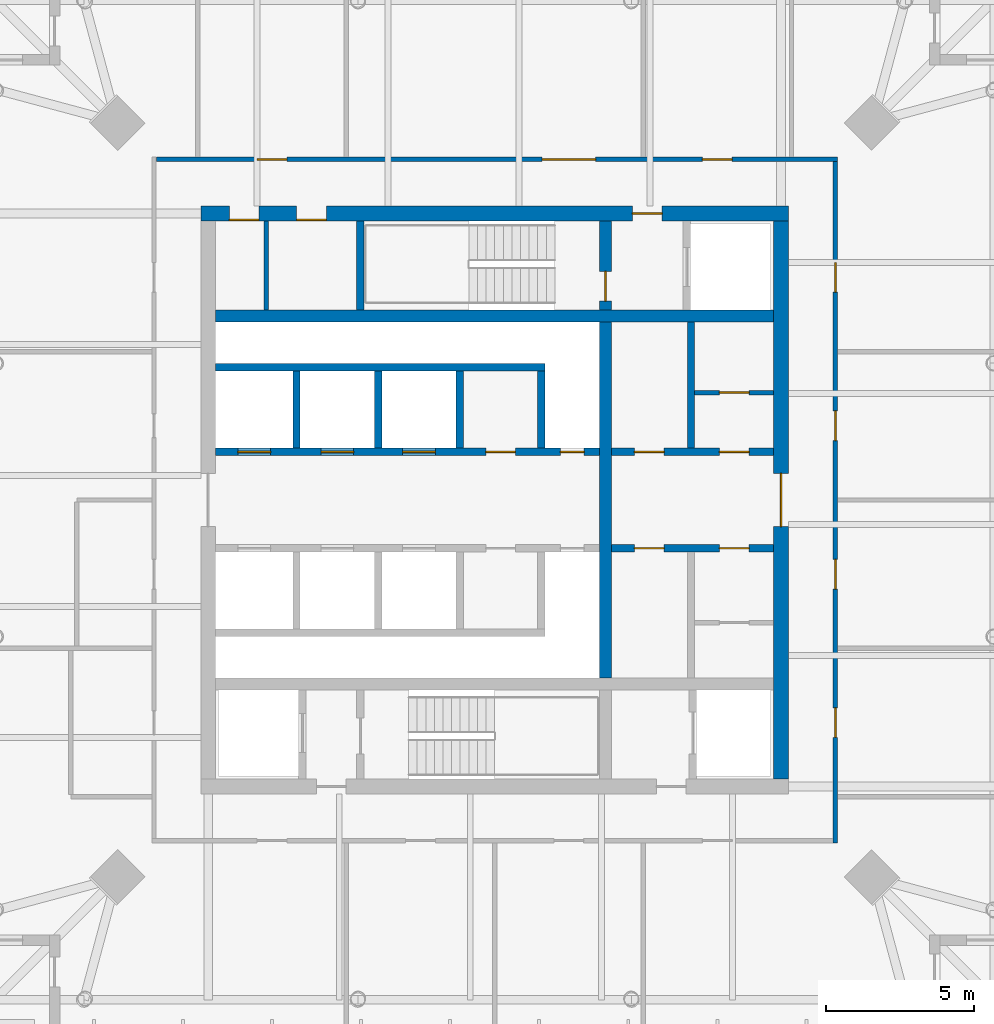
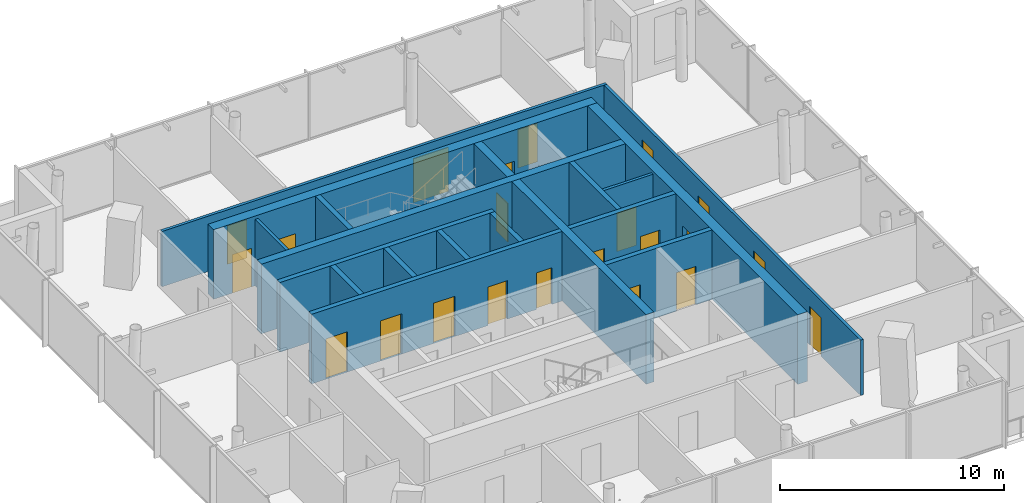
# One storey, part 5 of 7: 22 doors, 19 walls, 22 openings.
"""IFC4 building model written with IfcOpenShell, lengths in metres."""

import ifcopenshell
import ifcopenshell.guid

model = None  # the IFC model being written
_history = None  # IfcOwnerHistory: only IFC2X3 demands one
_inside = {}  # id of a spatial element -> (the spatial element, [elements in it])
_under = {}  # id of a project, library or spatial element -> (it, [spatial elements below it])
_declared = {}  # id of a project -> (the project, [libraries it declares])
_typed = {}  # id of a type object -> (the type object, [elements of that type])
_made_of = {}  # id of a material, layer set ... -> (it, [elements and type objects made of it])


def new_model(schema):
    """Start an empty IFC model of exactly this schema.

    Asked for "IFC4X3", IfcOpenShell would pick the latest addendum, in which some entities
    have other attributes; the version numbers below select the first issue.
    IFC2X3 requires an IfcOwnerHistory on every rooted entity: one is made here for all.
    """
    global model, _history
    if schema == "IFC4X3":
        model = ifcopenshell.file(schema_version=(4, 3, 0, 0))
    else:
        model = ifcopenshell.file(schema=schema)
    _inside.clear()
    _under.clear()
    _declared.clear()
    _typed.clear()
    _made_of.clear()
    _history = None
    if model.schema == "IFC2X3":
        org = make("IfcOrganization", Name="unknown")
        user = make(
            "IfcPersonAndOrganization",
            ThePerson=make("IfcPerson", FamilyName="unknown"),
            TheOrganization=org,
        )
        app = make(
            "IfcApplication",
            ApplicationDeveloper=org,
            Version="unknown",
            ApplicationFullName="unknown",
            ApplicationIdentifier="unknown",
        )
        _history = make(
            "IfcOwnerHistory",
            OwningUser=user,
            OwningApplication=app,
            ChangeAction="ADDED",
            CreationDate=0,
        )
    return model


def make(cls, **values):
    """One entity of the class cls with the attributes given. An attribute that is None is left unset."""
    return model.create_entity(
        cls, **{name: value for name, value in values.items() if value is not None}
    )


def rooted(cls, **values):
    """An entity with a GlobalId (a new one), such as an element, a storey or a relation."""
    return make(cls, GlobalId=ifcopenshell.guid.new(), OwnerHistory=_history, **values)


def si_unit(unit_type, name, prefix=None):
    """IfcSIUnit, for example si_unit("LENGTHUNIT", "METRE", prefix="MILLI")."""
    return make("IfcSIUnit", UnitType=unit_type, Prefix=prefix, Name=name)


def assignment(units):
    """IfcUnitAssignment: the units of a project."""
    return None if units is None else make("IfcUnitAssignment", Units=units)


def point(xyz):
    """IfcCartesianPoint."""
    return None if xyz is None else make("IfcCartesianPoint", Coordinates=xyz)


def direction(xyz):
    """IfcDirection."""
    return None if xyz is None else make("IfcDirection", DirectionRatios=xyz)


def frame(location, z_axis=None, x_axis=None):
    """IfcAxis2Placement3D, a coordinate frame: its origin and axes. An axis left out is left unset."""
    return make(
        "IfcAxis2Placement3D",
        Location=point(location),
        Axis=direction(z_axis),
        RefDirection=direction(x_axis),
    )


def frame_2d(location, x_axis=None):
    """IfcAxis2Placement2D, a coordinate frame in the plane: its origin and x axis."""
    return make(
        "IfcAxis2Placement2D", Location=point(location), RefDirection=direction(x_axis)
    )


def origin():
    """The frame at (0, 0, 0) with its axes left unset."""
    return frame((0.0, 0.0, 0.0))


def place(relative_to, where):
    """IfcLocalPlacement: puts the frame where relative to a parent placement (None: the world)."""
    return make(
        "IfcLocalPlacement", PlacementRelTo=relative_to, RelativePlacement=where
    )


def context(
    kind, dimensions, precision=None, world=None, true_north=None, identifier=None
):
    """IfcGeometricRepresentationContext, for example the 3D "Model" context."""
    return make(
        "IfcGeometricRepresentationContext",
        ContextIdentifier=identifier,
        ContextType=kind,
        CoordinateSpaceDimension=dimensions,
        Precision=precision,
        WorldCoordinateSystem=world,
        TrueNorth=true_north,
    )


def subcontext(parent, identifier, kind, view, scale=None):
    """IfcGeometricRepresentationSubContext, for example "Body" below "Model"."""
    return make(
        "IfcGeometricRepresentationSubContext",
        ContextIdentifier=identifier,
        ContextType=kind,
        ParentContext=parent,
        TargetScale=scale,
        TargetView=view,
    )


def project(units=None, contexts=None):
    """IfcProject with its units and contexts."""
    return rooted(
        "IfcProject",
        Name="project",
        RepresentationContexts=contexts,
        UnitsInContext=assignment(units),
    )


def spatial(cls, under=None, at=None, **own):
    """A site, building, storey or space (cls), placed at a placement, below another one or the project."""
    s = rooted(cls, ObjectPlacement=at, **own)
    if under is not None:
        _under.setdefault(under.id(), (under, []))[1].append(s)
    return s


def profile(cls, at=None, kind="AREA", **sizes):
    """A parametric profile (cls). Its sizes go by their IFC names, for example OverallWidth=200.0."""
    return make(cls, ProfileType=kind, Position=at, **sizes)


def rectangle(**sizes):
    """IfcRectangleProfileDef."""
    return profile("IfcRectangleProfileDef", **sizes)


def extrude(swept, where, along, depth):
    """IfcExtrudedAreaSolid: the profile swept, set in the frame where, extruded along a direction by depth."""
    return make(
        "IfcExtrudedAreaSolid",
        SweptArea=swept,
        Position=where,
        ExtrudedDirection=direction(along),
        Depth=depth,
    )


def shape(context_of_items, identifier, shape_type, items):
    """IfcShapeRepresentation: the items that make up one representation, for example the "Body"."""
    return make(
        "IfcShapeRepresentation",
        ContextOfItems=context_of_items,
        RepresentationIdentifier=identifier,
        RepresentationType=shape_type,
        Items=items,
    )


def material(Name=None, Category=None):
    """IfcMaterial."""
    return make("IfcMaterial", Name=Name, Category=Category)


def layer(
    of_material, thickness, ventilated=None, Name=None, Category=None, Priority=None
):
    """IfcMaterialLayer: one layer of a wall or slab, of a material (None: an air gap)."""
    return make(
        "IfcMaterialLayer",
        Material=of_material,
        LayerThickness=thickness,
        IsVentilated=ventilated,
        Name=Name,
        Category=Category,
        Priority=Priority,
    )


def layer_set(layers, Name=None):
    """IfcMaterialLayerSet."""
    return make("IfcMaterialLayerSet", MaterialLayers=layers, LayerSetName=Name)


def made_of(thing, what):
    """Note that an element or type object is made of a material, layer set ...; save() writes the relation."""
    if what is not None:
        _made_of.setdefault(what.id(), (what, []))[1].append(thing)
    return thing


def type_object(cls, material=None, **own):
    """A type object (cls), such as IfcWallType, which elements share."""
    return made_of(rooted(cls, **own), material)


def element(
    cls,
    number,
    at=None,
    inside=None,
    cuts=None,
    type_object=None,
    material=None,
    context=None,
    identifier="Body",
    shape_type=None,
    held_by="IfcProductDefinitionShape",
    body=None,
    shapes=None,
    **own,
):
    """One element of the class cls, such as IfcWall. Its Tag is "e" and its number.

    at: its placement. inside: the storey or other place that contains it. cuts: it is an
    opening in that element (IfcRelVoidsElement). A single representation is given by context,
    identifier, shape_type and body (its items); several are given by shapes. held_by: the class
    of the entity that holds the representations. save() writes the other relations.
    """
    e = rooted(cls, Tag="e%d" % number, ObjectPlacement=at, **own)
    if body is not None:
        shapes = [shape(context, identifier, shape_type, body)]
    if shapes is not None:
        e.Representation = make(held_by, Representations=shapes)
    if inside is not None:
        _inside.setdefault(inside.id(), (inside, []))[1].append(e)
    if cuts is not None:
        rooted(
            "IfcRelVoidsElement", RelatingBuildingElement=cuts, RelatedOpeningElement=e
        )
    if type_object is not None:
        _typed.setdefault(type_object.id(), (type_object, []))[1].append(e)
    return made_of(e, material)


def fill(opening, filler):
    """IfcRelFillsElement: the door or window that sits in an opening."""
    return rooted(
        "IfcRelFillsElement",
        RelatingOpeningElement=opening,
        RelatedBuildingElement=filler,
    )


def aggregate(whole, parts):
    """IfcRelAggregates: a whole, such as a stair, and the parts it consists of."""
    return rooted("IfcRelAggregates", RelatingObject=whole, RelatedObjects=parts)


def save(model, path):
    """Write the relations noted so far, then the file.

    IfcRelAggregates (storeys below a building ...), IfcRelContainedInSpatialStructure (elements
    in a storey), IfcRelDefinesByType, IfcRelAssociatesMaterial and IfcRelDeclares: one each for
    every whole, place, type object, material and project.
    """
    for whole, parts in _under.values():
        aggregate(whole, parts)
    for where, things in _inside.values():
        rooted(
            "IfcRelContainedInSpatialStructure",
            RelatedElements=things,
            RelatingStructure=where,
        )
    for kind, things in _typed.values():
        rooted("IfcRelDefinesByType", RelatedObjects=things, RelatingType=kind)
    for what, things in _made_of.values():
        rooted("IfcRelAssociatesMaterial", RelatedObjects=things, RelatingMaterial=what)
    for by, libraries in _declared.values():
        rooted("IfcRelDeclares", RelatingContext=by, RelatedDefinitions=libraries)
    model.write(path)


model = new_model("IFC4")

# Units and contexts
model_context = context("Model", 3, precision=1e-05, world=origin(), true_north=direction((0.0, 1.0)))
body_context = subcontext(model_context, "Body", "Model", "MODEL_VIEW")
ifc_project = project(units=[si_unit("LENGTHUNIT", "METRE"), si_unit("AREAUNIT", "SQUARE_METRE"), si_unit("VOLUMEUNIT", "CUBIC_METRE"), si_unit("PLANEANGLEUNIT", "RADIAN"), si_unit("MASSUNIT", "GRAM", prefix="KILO")], contexts=[model_context])

# Site, building, storey
site_placement = place(None, origin())
site = spatial("IfcSite", under=ifc_project, at=site_placement, CompositionType="ELEMENT")
building_placement = place(site_placement, origin())
building = spatial("IfcBuilding", under=site, at=building_placement, Name="Ostroluk Exchange", CompositionType="ELEMENT")
storey_placement = place(building_placement, frame((0.0, 0.0, 245.199951171875)))
storey = spatial("IfcBuildingStorey", under=building, at=storey_placement, Name="L63", CompositionType="ELEMENT", Elevation=245.199951171875)

# Wall
ifc_material_1 = material(Name="Concrete blockwork", Category="masonry")
ifc_layer_1 = layer(ifc_material_1, 0.14990234375)
ifc_layer_set_1 = layer_set([ifc_layer_1], Name="Blockwork plant room wall 150")
wall_type_1 = type_object("IfcWallType", Name="Blockwork plant room wall 150", PredefinedType="SOLIDWALL", material=ifc_layer_set_1)
wall_1_placement = place(storey_placement, frame((37.31005859375, 52.39990234375, 0.0), z_axis=(0.0, 0.0, 1.0), x_axis=(0.0, 1.0, 0.0)))
element("IfcWall", 1, at=wall_1_placement, inside=storey, type_object=wall_type_1, Name="Core room wall", PredefinedType="SOLIDWALL", context=body_context, shape_type="SweptSolid", body=[
    extrude(rectangle(XDim=3.0, YDim=0.14990234375, at=frame_2d((1.5, 0.0))), origin(), (0.0, 0.0, 1.0), 3.6201171875),
])

# Wall, opening, door
wall_2_placement = place(storey_placement, frame((51.739990234375, 49.6201171875, 0.0), z_axis=(0.0, 0.0, 1.0), x_axis=(1.0, 0.0, 0.0)))
wall_2 = element("IfcWall", 2, at=wall_2_placement, inside=storey, type_object=wall_type_1, Name="Core room wall", PredefinedType="SOLIDWALL", context=body_context, shape_type="SweptSolid", body=[
    extrude(rectangle(XDim=2.659912109375, YDim=0.14990234375, at=frame_2d((1.330078125, 0.0))), origin(), (0.0, 0.0, 1.0), 3.6201171875),
])
opening_1_placement = place(wall_2_placement, frame((0.830078125, 0.0, 0.0)))
opening_1 = element("IfcOpeningElement", 3, at=opening_1_placement, cuts=wall_2, Name="Opening FD60", PredefinedType="OPENING", context=body_context, shape_type="SweptSolid", body=[
    extrude(rectangle(XDim=1.0, YDim=2.10009765625, at=frame_2d((0.5, 1.050048828125))), frame((0.0, 0.0849609375, 0.0), z_axis=(0.0, -1.0, 0.0), x_axis=(1.0, 0.0, 0.0)), (0.0, 0.0, 1.0), 0.169921875),
])
ifc_material_2 = material(Name="Steel", Category="steel")
door_type_1 = type_object("IfcDoorType", Name="Fire door EI 60 1000 x 2100", OperationType="SINGLE_SWING_LEFT", PredefinedType="DOOR", material=ifc_material_2)
door_1_placement = place(opening_1_placement, origin())
door_1 = element("IfcDoor", 4, at=door_1_placement, inside=storey, type_object=door_type_1, Name="Archive store door", OperationType="SINGLE_SWING_RIGHT", OverallHeight=2.10009765625, OverallWidth=1.0, PredefinedType="DOOR", context=body_context, shape_type="SweptSolid", body=[
    extrude(rectangle(XDim=1.0, YDim=2.10009765625, at=frame_2d((0.5, 1.050048828125))), frame((0.0, 0.02490234375, 0.0), z_axis=(0.0, -1.0, 0.0), x_axis=(1.0, 0.0, 0.0)), (0.0, 0.0, 1.0), 0.050048828125),
])
fill(opening_1, door_1)

# Walls
ifc_material_3 = material(Name="Concrete C50/60", Category="concrete")
ifc_layer_2 = layer(ifc_material_3, 0.39990234375)
ifc_layer_set_2 = layer_set([ifc_layer_2], Name="Core cross wall 400 C50/60")
wall_type_2 = type_object("IfcWallType", Name="Core cross wall 400 C50/60", PredefinedType="SHEAR", material=ifc_layer_set_2)
wall_3_placement = place(storey_placement, frame((35.60009765625, 52.199951171875, 0.0), z_axis=(0.0, 0.0, 1.0), x_axis=(1.0, 0.0, 0.0)))
element("IfcWall", 5, at=wall_3_placement, inside=storey, type_object=wall_type_2, Name="T1 core wall XN", PredefinedType="SHEAR", context=body_context, shape_type="SweptSolid", body=[
    extrude(rectangle(XDim=18.7998046875, YDim=0.39990234375, at=frame_2d((9.39990234375, 0.0))), origin(), (0.0, 0.0, 1.0), 3.800048828125),
])
wall_4_placement = place(storey_placement, frame((48.72998046875, 40.0, 0.0), z_axis=(0.0, 0.0, 1.0), x_axis=(0.0, 1.0, 0.0)))
element("IfcWall", 6, at=wall_4_placement, inside=storey, type_object=wall_type_2, Name="T1 core wall YE2", PredefinedType="SHEAR", context=body_context, shape_type="SweptSolid", body=[
    extrude(rectangle(XDim=12.0, YDim=0.39990234375, at=frame_2d((6.0, 0.0))), origin(), (0.0, 0.0, 1.0), 3.800048828125),
])

# Wall, opening, door
wall_5_placement = place(storey_placement, frame((48.72998046875, 52.39990234375, 0.0), z_axis=(0.0, 0.0, 1.0), x_axis=(0.0, 1.0, 0.0)))
wall_5 = element("IfcWall", 7, at=wall_5_placement, inside=storey, type_object=wall_type_2, Name="T1 core wall YE3", PredefinedType="SHEAR", context=body_context, shape_type="SweptSolid", body=[
    extrude(rectangle(XDim=3.0, YDim=0.39990234375, at=frame_2d((1.5, 0.0))), origin(), (0.0, 0.0, 1.0), 3.800048828125),
])
opening_2_placement = place(wall_5_placement, frame((0.300048828125, 0.0, 0.0)))
opening_2 = element("IfcOpeningElement", 8, at=opening_2_placement, cuts=wall_5, Name="Opening FD60", PredefinedType="OPENING", context=body_context, shape_type="SweptSolid", body=[
    extrude(rectangle(XDim=1.0, YDim=2.10009765625, at=frame_2d((0.5, 1.050048828125))), frame((0.0, 0.2099609375, 0.0), z_axis=(0.0, -1.0, 0.0), x_axis=(1.0, 0.0, 0.0)), (0.0, 0.0, 1.0), 0.419921875),
])
door_2_placement = place(opening_2_placement, origin())
door_2 = element("IfcDoor", 9, at=door_2_placement, inside=storey, type_object=door_type_1, Name="Stair T1-S2 door", OperationType="SINGLE_SWING_LEFT", OverallHeight=2.10009765625, OverallWidth=1.0, PredefinedType="DOOR", context=body_context, shape_type="SweptSolid", body=[
    extrude(rectangle(XDim=1.0, YDim=2.10009765625, at=frame_2d((0.5, 1.050048828125))), frame((0.0, 0.02490234375, 0.0), z_axis=(0.0, -1.0, 0.0), x_axis=(1.0, 0.0, 0.0)), (0.0, 0.0, 1.0), 0.050048828125),
])
fill(opening_2, door_2)

# Walls
ifc_material_4 = material(Name="Concrete C40/50", Category="concrete")
ifc_layer_3 = layer(ifc_material_4, 0.25)
ifc_layer_set_3 = layer_set([ifc_layer_3], Name="Core shaft wall 250")
wall_type_3 = type_object("IfcWallType", Name="Core shaft wall 250", PredefinedType="SHEAR", material=ifc_layer_set_3)
wall_6_placement = place(storey_placement, frame((40.47509765625, 52.39990234375, 0.0), z_axis=(0.0, 0.0, 1.0), x_axis=(0.0, 1.0, 0.0)))
element("IfcWall", 10, at=wall_6_placement, inside=storey, type_object=wall_type_3, Name="Stair shaft wall", PredefinedType="SHEAR", context=body_context, shape_type="SweptSolid", body=[
    extrude(rectangle(XDim=3.0, YDim=0.25, at=frame_2d((1.5, 0.0))), origin(), (0.0, 0.0, 1.0), 3.800048828125),
])
for number, where, z_axis, x_axis, name in (
    (11, (38.324951171875, 47.75, 0.0), (0.0, 0.0, 1.0), (0.0, 1.0, 0.0), "Lift shaft wall"),
    (12, (41.074951171875, 47.75, 0.0), (0.0, 0.0, 1.0), (0.0, 1.0, 0.0), "Lift shaft wall"),
    (13, (43.824951171875, 47.75, 0.0), (0.0, 0.0, 1.0), (0.0, 1.0, 0.0), "Lift shaft wall"),
    (14, (46.574951171875, 47.75, 0.0), (0.0, 0.0, 1.0), (0.0, 1.0, 0.0), "Lift shaft wall"),
):
    element("IfcWall", number, at=place(storey_placement, frame(where, z_axis=z_axis, x_axis=x_axis)), inside=storey, type_object=wall_type_3, Name=name, PredefinedType="SHEAR", context=body_context, shape_type="SweptSolid", body=[
        extrude(rectangle(XDim=2.60009765625, YDim=0.25, at=frame_2d((1.300048828125, 0.0))), origin(), (0.0, 0.0, 1.0), 3.800048828125),
    ])
wall_7_placement = place(storey_placement, frame((35.60009765625, 50.47509765625, 0.0), z_axis=(0.0, 0.0, 1.0), x_axis=(1.0, 0.0, 0.0)))
element("IfcWall", 15, at=wall_7_placement, inside=storey, type_object=wall_type_3, Name="Lift shaft wall", PredefinedType="SHEAR", context=body_context, shape_type="SweptSolid", body=[
    extrude(rectangle(XDim=11.099853515625, YDim=0.25, at=frame_2d((5.5498046875, 0.0))), origin(), (0.0, 0.0, 1.0), 3.800048828125),
])

# Wall, openings, doors
wall_8_placement = place(storey_placement, frame((35.60009765625, 47.625, 0.0), z_axis=(0.0, 0.0, 1.0), x_axis=(1.0, 0.0, 0.0)))
wall_8 = element("IfcWall", 16, at=wall_8_placement, inside=storey, type_object=wall_type_3, Name="Lift shaft front wall", PredefinedType="SHEAR", context=body_context, shape_type="SweptSolid", body=[
    extrude(rectangle(XDim=12.929931640625, YDim=0.25, at=frame_2d((6.46484375, 0.0))), origin(), (0.0, 0.0, 1.0), 3.800048828125),
])
opening_3_placement = place(wall_8_placement, frame((0.75, 0.0, 0.0)))
opening_3 = element("IfcOpeningElement", 17, at=opening_3_placement, cuts=wall_8, Name="Opening LD", PredefinedType="OPENING", context=body_context, shape_type="SweptSolid", body=[
    extrude(rectangle(XDim=1.10009765625, YDim=2.199951171875, at=frame_2d((0.550048828125, 1.10009765625))), frame((0.0, 0.135009765625, 0.0), z_axis=(0.0, -1.0, 0.0), x_axis=(1.0, 0.0, 0.0)), (0.0, 0.0, 1.0), 0.27001953125),
])
opening_4_placement = place(wall_8_placement, frame((3.550048828125, 0.0, 0.0)))
opening_4 = element("IfcOpeningElement", 18, at=opening_4_placement, cuts=wall_8, Name="Opening LD", PredefinedType="OPENING", context=body_context, shape_type="SweptSolid", body=[
    extrude(rectangle(XDim=1.10009765625, YDim=2.199951171875, at=frame_2d((0.550048828125, 1.10009765625))), frame((0.0, 0.135009765625, 0.0), z_axis=(0.0, -1.0, 0.0), x_axis=(1.0, 0.0, 0.0)), (0.0, 0.0, 1.0), 0.27001953125),
])
opening_5_placement = place(wall_8_placement, frame((6.300048828125, 0.0, 0.0)))
opening_5 = element("IfcOpeningElement", 19, at=opening_5_placement, cuts=wall_8, Name="Opening LD", PredefinedType="OPENING", context=body_context, shape_type="SweptSolid", body=[
    extrude(rectangle(XDim=1.10009765625, YDim=2.199951171875, at=frame_2d((0.550048828125, 1.10009765625))), frame((0.0, 0.135009765625, 0.0), z_axis=(0.0, -1.0, 0.0), x_axis=(1.0, 0.0, 0.0)), (0.0, 0.0, 1.0), 0.27001953125),
])
opening_6_placement = place(wall_8_placement, frame((9.10009765625, 0.0, 0.0)))
opening_6 = element("IfcOpeningElement", 20, at=opening_6_placement, cuts=wall_8, Name="Opening FD60", PredefinedType="OPENING", context=body_context, shape_type="SweptSolid", body=[
    extrude(rectangle(XDim=1.0, YDim=2.10009765625, at=frame_2d((0.5, 1.050048828125))), frame((0.0, 0.135009765625, 0.0), z_axis=(0.0, -1.0, 0.0), x_axis=(1.0, 0.0, 0.0)), (0.0, 0.0, 1.0), 0.27001953125),
])
opening_7_placement = place(wall_8_placement, frame((11.614990234375, 0.0, 0.0)))
opening_7 = element("IfcOpeningElement", 21, at=opening_7_placement, cuts=wall_8, Name="Opening RD60", PredefinedType="OPENING", context=body_context, shape_type="SweptSolid", body=[
    extrude(rectangle(XDim=0.800048828125, YDim=2.0, at=frame_2d((0.39990234375, 1.0))), frame((0.0, 0.135009765625, 0.0), z_axis=(0.0, -1.0, 0.0), x_axis=(1.0, 0.0, 0.0)), (0.0, 0.0, 1.0), 0.27001953125),
])
door_3_placement = place(opening_6_placement, origin())
door_3 = element("IfcDoor", 22, at=door_3_placement, inside=storey, type_object=door_type_1, Name="Core room door", OperationType="SINGLE_SWING_RIGHT", OverallHeight=2.10009765625, OverallWidth=1.0, PredefinedType="DOOR", context=body_context, shape_type="SweptSolid", body=[
    extrude(rectangle(XDim=1.0, YDim=2.10009765625, at=frame_2d((0.5, 1.050048828125))), frame((0.0, 0.02490234375, 0.0), z_axis=(0.0, -1.0, 0.0), x_axis=(1.0, 0.0, 0.0)), (0.0, 0.0, 1.0), 0.050048828125),
])
fill(opening_6, door_3)
ifc_material_5 = material(Name="Stainless steel", Category="steel")
door_type_2 = type_object("IfcDoorType", Name="Lift landing door E 60 1100 x 2200", OperationType="DOUBLE_DOOR_SLIDING", PredefinedType="DOOR", material=ifc_material_5)
door_4_placement = place(opening_3_placement, origin())
door_4 = element("IfcDoor", 23, at=door_4_placement, inside=storey, type_object=door_type_2, Name="Lift PL-T1 landing door", OperationType="DOUBLE_DOOR_SLIDING", OverallHeight=2.199951171875, OverallWidth=1.10009765625, PredefinedType="DOOR", context=body_context, shape_type="SweptSolid", body=[
    extrude(rectangle(XDim=1.10009765625, YDim=2.199951171875, at=frame_2d((0.550048828125, 1.10009765625))), frame((0.0, 0.02490234375, 0.0), z_axis=(0.0, -1.0, 0.0), x_axis=(1.0, 0.0, 0.0)), (0.0, 0.0, 1.0), 0.050048828125),
])
fill(opening_3, door_4)
door_5_placement = place(opening_4_placement, origin())
door_5 = element("IfcDoor", 24, at=door_5_placement, inside=storey, type_object=door_type_2, Name="Lift PL-T2 landing door", OperationType="DOUBLE_DOOR_SLIDING", OverallHeight=2.199951171875, OverallWidth=1.10009765625, PredefinedType="DOOR", context=body_context, shape_type="SweptSolid", body=[
    extrude(rectangle(XDim=1.10009765625, YDim=2.199951171875, at=frame_2d((0.550048828125, 1.10009765625))), frame((0.0, 0.02490234375, 0.0), z_axis=(0.0, -1.0, 0.0), x_axis=(1.0, 0.0, 0.0)), (0.0, 0.0, 1.0), 0.050048828125),
])
fill(opening_4, door_5)
door_6_placement = place(opening_5_placement, origin())
door_6 = element("IfcDoor", 25, at=door_6_placement, inside=storey, type_object=door_type_2, Name="Lift PL-T3 landing door", OperationType="DOUBLE_DOOR_SLIDING", OverallHeight=2.199951171875, OverallWidth=1.10009765625, PredefinedType="DOOR", context=body_context, shape_type="SweptSolid", body=[
    extrude(rectangle(XDim=1.10009765625, YDim=2.199951171875, at=frame_2d((0.550048828125, 1.10009765625))), frame((0.0, 0.02490234375, 0.0), z_axis=(0.0, -1.0, 0.0), x_axis=(1.0, 0.0, 0.0)), (0.0, 0.0, 1.0), 0.050048828125),
])
fill(opening_5, door_6)
ifc_material_6 = material(Name="Steel", Category="steel")
door_type_3 = type_object("IfcDoorType", Name="Riser access door EI 60 800 x 2000", OperationType="SINGLE_SWING_LEFT", PredefinedType="DOOR", material=ifc_material_6)
door_7_placement = place(opening_7_placement, origin())
door_7 = element("IfcDoor", 26, at=door_7_placement, inside=storey, type_object=door_type_3, Name="Riser access door", OperationType="SINGLE_SWING_RIGHT", OverallHeight=2.0, OverallWidth=0.800048828125, PredefinedType="DOOR", context=body_context, shape_type="SweptSolid", body=[
    extrude(rectangle(XDim=0.800048828125, YDim=2.0, at=frame_2d((0.39990234375, 1.0))), frame((0.0, 0.02490234375, 0.0), z_axis=(0.0, -1.0, 0.0), x_axis=(1.0, 0.0, 0.0)), (0.0, 0.0, 1.0), 0.050048828125),
])
fill(opening_7, door_7)

# Wall
wall_9_placement = place(storey_placement, frame((51.614990234375, 47.75, 0.0), z_axis=(0.0, 0.0, 1.0), x_axis=(0.0, 1.0, 0.0)))
element("IfcWall", 27, at=wall_9_placement, inside=storey, type_object=wall_type_3, Name="Lift shaft wall", PredefinedType="SHEAR", context=body_context, shape_type="SweptSolid", body=[
    extrude(rectangle(XDim=4.25, YDim=0.25, at=frame_2d((2.125, 0.0))), origin(), (0.0, 0.0, 1.0), 3.800048828125),
])

# Wall, openings, doors
wall_10_placement = place(storey_placement, frame((48.929931640625, 47.625, 0.0), z_axis=(0.0, 0.0, 1.0), x_axis=(1.0, 0.0, 0.0)))
wall_10 = element("IfcWall", 28, at=wall_10_placement, inside=storey, type_object=wall_type_3, Name="Lift shaft front wall", PredefinedType="SHEAR", context=body_context, shape_type="SweptSolid", body=[
    extrude(rectangle(XDim=5.469970703125, YDim=0.25, at=frame_2d((2.73486328125, 0.0))), origin(), (0.0, 0.0, 1.0), 3.800048828125),
])
opening_8_placement = place(wall_10_placement, frame((0.780029296875, 0.0, 0.0)))
opening_8 = element("IfcOpeningElement", 29, at=opening_8_placement, cuts=wall_10, Name="Opening FD60", PredefinedType="OPENING", context=body_context, shape_type="SweptSolid", body=[
    extrude(rectangle(XDim=1.0, YDim=2.10009765625, at=frame_2d((0.5, 1.050048828125))), frame((0.0, 0.135009765625, 0.0), z_axis=(0.0, -1.0, 0.0), x_axis=(1.0, 0.0, 0.0)), (0.0, 0.0, 1.0), 0.27001953125),
])
opening_9_placement = place(wall_10_placement, frame((3.639892578125, 0.0, 0.0)))
opening_9 = element("IfcOpeningElement", 30, at=opening_9_placement, cuts=wall_10, Name="Opening FD60", PredefinedType="OPENING", context=body_context, shape_type="SweptSolid", body=[
    extrude(rectangle(XDim=1.0, YDim=2.10009765625, at=frame_2d((0.5, 1.050048828125))), frame((0.0, 0.135009765625, 0.0), z_axis=(0.0, -1.0, 0.0), x_axis=(1.0, 0.0, 0.0)), (0.0, 0.0, 1.0), 0.27001953125),
])
door_8_placement = place(opening_8_placement, origin())
door_8 = element("IfcDoor", 31, at=door_8_placement, inside=storey, type_object=door_type_1, Name="Core room door", OperationType="SINGLE_SWING_LEFT", OverallHeight=2.10009765625, OverallWidth=1.0, PredefinedType="DOOR", context=body_context, shape_type="SweptSolid", body=[
    extrude(rectangle(XDim=1.0, YDim=2.10009765625, at=frame_2d((0.5, 1.050048828125))), frame((0.0, 0.02490234375, 0.0), z_axis=(0.0, -1.0, 0.0), x_axis=(1.0, 0.0, 0.0)), (0.0, 0.0, 1.0), 0.050048828125),
])
fill(opening_8, door_8)
door_9_placement = place(opening_9_placement, origin())
door_9 = element("IfcDoor", 32, at=door_9_placement, inside=storey, type_object=door_type_1, Name="Core room door", OperationType="SINGLE_SWING_RIGHT", OverallHeight=2.10009765625, OverallWidth=1.0, PredefinedType="DOOR", context=body_context, shape_type="SweptSolid", body=[
    extrude(rectangle(XDim=1.0, YDim=2.10009765625, at=frame_2d((0.5, 1.050048828125))), frame((0.0, 0.02490234375, 0.0), z_axis=(0.0, -1.0, 0.0), x_axis=(1.0, 0.0, 0.0)), (0.0, 0.0, 1.0), 0.050048828125),
])
fill(opening_9, door_9)

wall_11_placement = place(storey_placement, frame((48.929931640625, 44.375, 0.0), z_axis=(0.0, 0.0, 1.0), x_axis=(1.0, 0.0, 0.0)))
wall_11 = element("IfcWall", 33, at=wall_11_placement, inside=storey, type_object=wall_type_3, Name="Lift shaft front wall", PredefinedType="SHEAR", context=body_context, shape_type="SweptSolid", body=[
    extrude(rectangle(XDim=5.469970703125, YDim=0.25, at=frame_2d((2.73486328125, 0.0))), origin(), (0.0, 0.0, 1.0), 3.800048828125),
])
opening_10_placement = place(wall_11_placement, frame((0.780029296875, 0.0, 0.0)))
opening_10 = element("IfcOpeningElement", 34, at=opening_10_placement, cuts=wall_11, Name="Opening FD60", PredefinedType="OPENING", context=body_context, shape_type="SweptSolid", body=[
    extrude(rectangle(XDim=1.0, YDim=2.10009765625, at=frame_2d((0.5, 1.050048828125))), frame((0.0, 0.135009765625, 0.0), z_axis=(0.0, -1.0, 0.0), x_axis=(1.0, 0.0, 0.0)), (0.0, 0.0, 1.0), 0.27001953125),
])
opening_11_placement = place(wall_11_placement, frame((3.639892578125, 0.0, 0.0)))
opening_11 = element("IfcOpeningElement", 35, at=opening_11_placement, cuts=wall_11, Name="Opening FD60", PredefinedType="OPENING", context=body_context, shape_type="SweptSolid", body=[
    extrude(rectangle(XDim=1.0, YDim=2.10009765625, at=frame_2d((0.5, 1.050048828125))), frame((0.0, 0.135009765625, 0.0), z_axis=(0.0, -1.0, 0.0), x_axis=(1.0, 0.0, 0.0)), (0.0, 0.0, 1.0), 0.27001953125),
])
door_10_placement = place(opening_10_placement, origin())
door_10 = element("IfcDoor", 36, at=door_10_placement, inside=storey, type_object=door_type_1, Name="Core room door", OperationType="SINGLE_SWING_LEFT", OverallHeight=2.10009765625, OverallWidth=1.0, PredefinedType="DOOR", context=body_context, shape_type="SweptSolid", body=[
    extrude(rectangle(XDim=1.0, YDim=2.10009765625, at=frame_2d((0.5, 1.050048828125))), frame((0.0, 0.02490234375, 0.0), z_axis=(0.0, -1.0, 0.0), x_axis=(1.0, 0.0, 0.0)), (0.0, 0.0, 1.0), 0.050048828125),
])
fill(opening_10, door_10)
door_11_placement = place(opening_11_placement, origin())
door_11 = element("IfcDoor", 37, at=door_11_placement, inside=storey, type_object=door_type_1, Name="Core room door", OperationType="SINGLE_SWING_RIGHT", OverallHeight=2.10009765625, OverallWidth=1.0, PredefinedType="DOOR", context=body_context, shape_type="SweptSolid", body=[
    extrude(rectangle(XDim=1.0, YDim=2.10009765625, at=frame_2d((0.5, 1.050048828125))), frame((0.0, 0.02490234375, 0.0), z_axis=(0.0, -1.0, 0.0), x_axis=(1.0, 0.0, 0.0)), (0.0, 0.0, 1.0), 0.050048828125),
])
fill(opening_11, door_11)

ifc_material_7 = material(Name="Concrete C50/60", Category="concrete")
ifc_layer_4 = layer(ifc_material_7, 0.5)
ifc_layer_set_4 = layer_set([ifc_layer_4], Name="Core wall 500 C50/60")
wall_type_4 = type_object("IfcWallType", Name="Core wall 500 C50/60", PredefinedType="SHEAR", material=ifc_layer_set_4)
wall_12_placement = place(storey_placement, frame((35.10009765625, 55.64990234375, 0.0), z_axis=(0.0, 0.0, 1.0), x_axis=(1.0, 0.0, 0.0)))
wall_12 = element("IfcWall", 38, at=wall_12_placement, inside=storey, type_object=wall_type_4, Name="T1 core wall N", PredefinedType="SHEAR", context=body_context, shape_type="SweptSolid", body=[
    extrude(rectangle(XDim=19.7998046875, YDim=0.5, at=frame_2d((9.89990234375, 0.0))), origin(), (0.0, 0.0, 1.0), 3.800048828125),
])
opening_12_placement = place(wall_12_placement, frame((14.5400390625, 0.0, 0.0)))
opening_12 = element("IfcOpeningElement", 39, at=opening_12_placement, cuts=wall_12, Name="Opening FD60", PredefinedType="OPENING", context=body_context, shape_type="SweptSolid", body=[
    extrude(rectangle(XDim=1.0, YDim=2.10009765625, at=frame_2d((0.5, 1.050048828125))), frame((0.0, 0.260009765625, 0.0), z_axis=(0.0, -1.0, 0.0), x_axis=(1.0, 0.0, 0.0)), (0.0, 0.0, 1.0), 0.52001953125),
])
opening_13_placement = place(wall_12_placement, frame((0.9599609375, 0.0, 0.0)))
opening_13 = element("IfcOpeningElement", 40, at=opening_13_placement, cuts=wall_12, Name="Opening FD60", PredefinedType="OPENING", context=body_context, shape_type="SweptSolid", body=[
    extrude(rectangle(XDim=1.0, YDim=2.10009765625, at=frame_2d((0.5, 1.050048828125))), frame((0.0, 0.260009765625, 0.0), z_axis=(0.0, -1.0, 0.0), x_axis=(1.0, 0.0, 0.0)), (0.0, 0.0, 1.0), 0.52001953125),
])
opening_14_placement = place(wall_12_placement, frame((3.22998046875, 0.0, 0.0)))
opening_14 = element("IfcOpeningElement", 41, at=opening_14_placement, cuts=wall_12, Name="Opening FD60", PredefinedType="OPENING", context=body_context, shape_type="SweptSolid", body=[
    extrude(rectangle(XDim=1.0, YDim=2.10009765625, at=frame_2d((0.5, 1.050048828125))), frame((0.0, 0.260009765625, 0.0), z_axis=(0.0, -1.0, 0.0), x_axis=(1.0, 0.0, 0.0)), (0.0, 0.0, 1.0), 0.52001953125),
])
door_12_placement = place(opening_12_placement, origin())
door_12 = element("IfcDoor", 42, at=door_12_placement, inside=storey, type_object=door_type_1, Name="Firefighting lobby door", OperationType="SINGLE_SWING_RIGHT", OverallHeight=2.10009765625, OverallWidth=1.0, PredefinedType="DOOR", context=body_context, shape_type="SweptSolid", body=[
    extrude(rectangle(XDim=1.0, YDim=2.10009765625, at=frame_2d((0.5, 1.050048828125))), frame((0.0, 0.02490234375, 0.0), z_axis=(0.0, -1.0, 0.0), x_axis=(1.0, 0.0, 0.0)), (0.0, 0.0, 1.0), 0.050048828125),
])
fill(opening_12, door_12)
door_13_placement = place(opening_13_placement, origin())
door_13 = element("IfcDoor", 43, at=door_13_placement, inside=storey, type_object=door_type_1, Name="Comms room door", OperationType="SINGLE_SWING_LEFT", OverallHeight=2.10009765625, OverallWidth=1.0, PredefinedType="DOOR", context=body_context, shape_type="SweptSolid", body=[
    extrude(rectangle(XDim=1.0, YDim=2.10009765625, at=frame_2d((0.5, 1.050048828125))), frame((0.0, -0.18994140625, 0.0), z_axis=(0.0, -1.0, 0.0), x_axis=(1.0, 0.0, 0.0)), (0.0, 0.0, 1.0), 0.050048828125),
])
fill(opening_13, door_13)
door_14_placement = place(opening_14_placement, origin())
door_14 = element("IfcDoor", 44, at=door_14_placement, inside=storey, type_object=door_type_1, Name="Print and post room door", OperationType="SINGLE_SWING_LEFT", OverallHeight=2.10009765625, OverallWidth=1.0, PredefinedType="DOOR", context=body_context, shape_type="SweptSolid", body=[
    extrude(rectangle(XDim=1.0, YDim=2.10009765625, at=frame_2d((0.5, 1.050048828125))), frame((0.0, -0.18994140625, 0.0), z_axis=(0.0, -1.0, 0.0), x_axis=(1.0, 0.0, 0.0)), (0.0, 0.0, 1.0), 0.050048828125),
])
fill(opening_14, door_14)

# Wall, opening, door
wall_13_placement = place(storey_placement, frame((54.64990234375, 36.60009765625, 0.0), z_axis=(0.0, 0.0, 1.0), x_axis=(0.0, 1.0, 0.0)))
wall_13 = element("IfcWall", 45, at=wall_13_placement, inside=storey, type_object=wall_type_4, Name="T1 core wall E", PredefinedType="SHEAR", context=body_context, shape_type="SweptSolid", body=[
    extrude(rectangle(XDim=18.7998046875, YDim=0.5, at=frame_2d((9.39990234375, 0.0))), origin(), (0.0, 0.0, 1.0), 3.800048828125),
])
opening_15_placement = place(wall_13_placement, frame((8.5, 0.0, 0.0)))
opening_15 = element("IfcOpeningElement", 46, at=opening_15_placement, cuts=wall_13, Name="Opening FD30D", PredefinedType="OPENING", context=body_context, shape_type="SweptSolid", body=[
    extrude(rectangle(XDim=1.800048828125, YDim=2.39990234375, at=frame_2d((0.89990234375, 1.199951171875))), frame((0.0, 0.260009765625, 0.0), z_axis=(0.0, -1.0, 0.0), x_axis=(1.0, 0.0, 0.0)), (0.0, 0.0, 1.0), 0.52001953125),
])
ifc_material_8 = material(Name="Timber", Category="wood")
door_type_4 = type_object("IfcDoorType", Name="Lobby double door EI 30 1800 x 2400", OperationType="DOUBLE_DOOR_SINGLE_SWING", PredefinedType="DOOR", material=ifc_material_8)
door_15_placement = place(opening_15_placement, origin())
door_15 = element("IfcDoor", 47, at=door_15_placement, inside=storey, type_object=door_type_4, Name="Lift lobby doors", OperationType="DOUBLE_DOOR_SINGLE_SWING", OverallHeight=2.39990234375, OverallWidth=1.800048828125, PredefinedType="DOOR", context=body_context, shape_type="SweptSolid", body=[
    extrude(rectangle(XDim=1.800048828125, YDim=2.39990234375, at=frame_2d((0.89990234375, 1.199951171875))), frame((0.0, 0.02490234375, 0.0), z_axis=(0.0, -1.0, 0.0), x_axis=(1.0, 0.0, 0.0)), (0.0, 0.0, 1.0), 0.050048828125),
])
fill(opening_15, door_15)

# Wall, openings, doors
ifc_material_9 = material(Name="Gypsum plasterboard partition", Category="gypsum")
ifc_layer_5 = layer(ifc_material_9, 0.14990234375)
ifc_layer_set_5 = layer_set([ifc_layer_5], Name="Plasterboard partition 150")
wall_type_5 = type_object("IfcWallType", Name="Plasterboard partition 150", PredefinedType="PARTITIONING", material=ifc_layer_set_5)
wall_14_placement = place(storey_placement, frame((56.47509765625, 34.449951171875, 0.0), z_axis=(0.0, 0.0, 1.0), x_axis=(0.0, 1.0, 0.0)))
wall_14 = element("IfcWall", 48, at=wall_14_placement, inside=storey, type_object=wall_type_5, Name="Partition", PredefinedType="PARTITIONING", context=body_context, shape_type="SweptSolid", body=[
    extrude(rectangle(XDim=22.949951171875, YDim=0.14990234375, at=frame_2d((11.47509765625, 0.0))), origin(), (0.0, 0.0, 1.0), 3.02001953125),
])
opening_16_placement = place(wall_14_placement, frame((3.550048828125, 0.0, 0.0)))
opening_16 = element("IfcOpeningElement", 49, at=opening_16_placement, cuts=wall_14, Name="Opening D-03", PredefinedType="OPENING", context=body_context, shape_type="SweptSolid", body=[
    extrude(rectangle(XDim=1.0, YDim=2.10009765625, at=frame_2d((0.5, 1.050048828125))), frame((0.0, 0.0849609375, 0.0), z_axis=(0.0, -1.0, 0.0), x_axis=(1.0, 0.0, 0.0)), (0.0, 0.0, 1.0), 0.169921875),
])
opening_17_placement = place(wall_14_placement, frame((8.550048828125, 0.0, 0.0)))
opening_17 = element("IfcOpeningElement", 50, at=opening_17_placement, cuts=wall_14, Name="Opening D-03", PredefinedType="OPENING", context=body_context, shape_type="SweptSolid", body=[
    extrude(rectangle(XDim=1.0, YDim=2.10009765625, at=frame_2d((0.5, 1.050048828125))), frame((0.0, 0.0849609375, 0.0), z_axis=(0.0, -1.0, 0.0), x_axis=(1.0, 0.0, 0.0)), (0.0, 0.0, 1.0), 0.169921875),
])
opening_18_placement = place(wall_14_placement, frame((13.550048828125, 0.0, 0.0)))
opening_18 = element("IfcOpeningElement", 51, at=opening_18_placement, cuts=wall_14, Name="Opening D-03", PredefinedType="OPENING", context=body_context, shape_type="SweptSolid", body=[
    extrude(rectangle(XDim=1.0, YDim=2.10009765625, at=frame_2d((0.5, 1.050048828125))), frame((0.0, 0.0849609375, 0.0), z_axis=(0.0, -1.0, 0.0), x_axis=(1.0, 0.0, 0.0)), (0.0, 0.0, 1.0), 0.169921875),
])
opening_19_placement = place(wall_14_placement, frame((18.550048828125, 0.0, 0.0)))
opening_19 = element("IfcOpeningElement", 52, at=opening_19_placement, cuts=wall_14, Name="Opening D-03", PredefinedType="OPENING", context=body_context, shape_type="SweptSolid", body=[
    extrude(rectangle(XDim=1.0, YDim=2.10009765625, at=frame_2d((0.5, 1.050048828125))), frame((0.0, 0.0849609375, 0.0), z_axis=(0.0, -1.0, 0.0), x_axis=(1.0, 0.0, 0.0)), (0.0, 0.0, 1.0), 0.169921875),
])
ifc_material_10 = material(Name="Timber", Category="wood")
door_type_5 = type_object("IfcDoorType", Name="Internal door 1000 x 2100", OperationType="SINGLE_SWING_LEFT", PredefinedType="DOOR", material=ifc_material_10)
door_16_placement = place(opening_16_placement, origin())
door_16 = element("IfcDoor", 53, at=door_16_placement, inside=storey, type_object=door_type_5, Name="Office door", OperationType="SINGLE_SWING_LEFT", OverallHeight=2.10009765625, OverallWidth=1.0, PredefinedType="DOOR", context=body_context, shape_type="SweptSolid", body=[
    extrude(rectangle(XDim=1.0, YDim=2.10009765625, at=frame_2d((0.5, 1.050048828125))), frame((0.0, 0.02490234375, 0.0), z_axis=(0.0, -1.0, 0.0), x_axis=(1.0, 0.0, 0.0)), (0.0, 0.0, 1.0), 0.050048828125),
])
fill(opening_16, door_16)
door_17_placement = place(opening_17_placement, origin())
door_17 = element("IfcDoor", 54, at=door_17_placement, inside=storey, type_object=door_type_5, Name="Meeting room door", OperationType="SINGLE_SWING_LEFT", OverallHeight=2.10009765625, OverallWidth=1.0, PredefinedType="DOOR", context=body_context, shape_type="SweptSolid", body=[
    extrude(rectangle(XDim=1.0, YDim=2.10009765625, at=frame_2d((0.5, 1.050048828125))), frame((0.0, 0.02490234375, 0.0), z_axis=(0.0, -1.0, 0.0), x_axis=(1.0, 0.0, 0.0)), (0.0, 0.0, 1.0), 0.050048828125),
])
fill(opening_17, door_17)
door_18_placement = place(opening_18_placement, origin())
door_18 = element("IfcDoor", 55, at=door_18_placement, inside=storey, type_object=door_type_5, Name="Office door", OperationType="SINGLE_SWING_RIGHT", OverallHeight=2.10009765625, OverallWidth=1.0, PredefinedType="DOOR", context=body_context, shape_type="SweptSolid", body=[
    extrude(rectangle(XDim=1.0, YDim=2.10009765625, at=frame_2d((0.5, 1.050048828125))), frame((0.0, 0.02490234375, 0.0), z_axis=(0.0, -1.0, 0.0), x_axis=(1.0, 0.0, 0.0)), (0.0, 0.0, 1.0), 0.050048828125),
])
fill(opening_18, door_18)
door_19_placement = place(opening_19_placement, origin())
door_19 = element("IfcDoor", 56, at=door_19_placement, inside=storey, type_object=door_type_5, Name="Meeting room door", OperationType="SINGLE_SWING_RIGHT", OverallHeight=2.10009765625, OverallWidth=1.0, PredefinedType="DOOR", context=body_context, shape_type="SweptSolid", body=[
    extrude(rectangle(XDim=1.0, YDim=2.10009765625, at=frame_2d((0.5, 1.050048828125))), frame((0.0, 0.02490234375, 0.0), z_axis=(0.0, -1.0, 0.0), x_axis=(1.0, 0.0, 0.0)), (0.0, 0.0, 1.0), 0.050048828125),
])
fill(opening_19, door_19)

wall_15_placement = place(storey_placement, frame((56.550048828125, 57.47509765625, 0.0), z_axis=(0.0, 0.0, 1.0), x_axis=(-1.0, 0.0, 0.0)))
wall_15 = element("IfcWall", 57, at=wall_15_placement, inside=storey, type_object=wall_type_5, Name="Partition", PredefinedType="PARTITIONING", context=body_context, shape_type="SweptSolid", body=[
    extrude(rectangle(XDim=22.949951171875, YDim=0.14990234375, at=frame_2d((11.47509765625, 0.0))), origin(), (0.0, 0.0, 1.0), 3.02001953125),
])
opening_20_placement = place(wall_15_placement, frame((3.550048828125, 0.0, 0.0)))
opening_20 = element("IfcOpeningElement", 58, at=opening_20_placement, cuts=wall_15, Name="Opening D-03", PredefinedType="OPENING", context=body_context, shape_type="SweptSolid", body=[
    extrude(rectangle(XDim=1.0, YDim=2.10009765625, at=frame_2d((0.5, 1.050048828125))), frame((0.0, 0.0849609375, 0.0), z_axis=(0.0, -1.0, 0.0), x_axis=(1.0, 0.0, 0.0)), (0.0, 0.0, 1.0), 0.169921875),
])
opening_21_placement = place(wall_15_placement, frame((8.14990234375, 0.0, 0.0)))
opening_21 = element("IfcOpeningElement", 59, at=opening_21_placement, cuts=wall_15, Name="Opening D-04", PredefinedType="OPENING", context=body_context, shape_type="SweptSolid", body=[
    extrude(rectangle(XDim=1.800048828125, YDim=2.39990234375, at=frame_2d((0.89990234375, 1.199951171875))), frame((0.0, 0.0849609375, 0.0), z_axis=(0.0, -1.0, 0.0), x_axis=(1.0, 0.0, 0.0)), (0.0, 0.0, 1.0), 0.169921875),
])
opening_22_placement = place(wall_15_placement, frame((18.550048828125, 0.0, 0.0)))
opening_22 = element("IfcOpeningElement", 60, at=opening_22_placement, cuts=wall_15, Name="Opening D-03", PredefinedType="OPENING", context=body_context, shape_type="SweptSolid", body=[
    extrude(rectangle(XDim=1.0, YDim=2.10009765625, at=frame_2d((0.5, 1.050048828125))), frame((0.0, 0.0849609375, 0.0), z_axis=(0.0, -1.0, 0.0), x_axis=(1.0, 0.0, 0.0)), (0.0, 0.0, 1.0), 0.169921875),
])
ifc_material_11 = material(Name="Timber", Category="wood")
door_type_6 = type_object("IfcDoorType", Name="Double door 1800 x 2400", OperationType="DOUBLE_DOOR_SINGLE_SWING", PredefinedType="DOOR", material=ifc_material_11)
door_20_placement = place(opening_21_placement, origin())
door_20 = element("IfcDoor", 61, at=door_20_placement, inside=storey, type_object=door_type_6, Name="Boardroom door", OperationType="DOUBLE_DOOR_SINGLE_SWING", OverallHeight=2.39990234375, OverallWidth=1.800048828125, PredefinedType="DOOR", context=body_context, shape_type="SweptSolid", body=[
    extrude(rectangle(XDim=1.800048828125, YDim=2.39990234375, at=frame_2d((0.89990234375, 1.199951171875))), frame((0.0, 0.02490234375, 0.0), z_axis=(0.0, -1.0, 0.0), x_axis=(1.0, 0.0, 0.0)), (0.0, 0.0, 1.0), 0.050048828125),
])
fill(opening_21, door_20)
door_21_placement = place(opening_20_placement, origin())
door_21 = element("IfcDoor", 62, at=door_21_placement, inside=storey, type_object=door_type_5, Name="Office door", OperationType="SINGLE_SWING_LEFT", OverallHeight=2.10009765625, OverallWidth=1.0, PredefinedType="DOOR", context=body_context, shape_type="SweptSolid", body=[
    extrude(rectangle(XDim=1.0, YDim=2.10009765625, at=frame_2d((0.5, 1.050048828125))), frame((0.0, 0.02490234375, 0.0), z_axis=(0.0, -1.0, 0.0), x_axis=(1.0, 0.0, 0.0)), (0.0, 0.0, 1.0), 0.050048828125),
])
fill(opening_20, door_21)
door_22_placement = place(opening_22_placement, origin())
door_22 = element("IfcDoor", 63, at=door_22_placement, inside=storey, type_object=door_type_5, Name="Office door", OperationType="SINGLE_SWING_RIGHT", OverallHeight=2.10009765625, OverallWidth=1.0, PredefinedType="DOOR", context=body_context, shape_type="SweptSolid", body=[
    extrude(rectangle(XDim=1.0, YDim=2.10009765625, at=frame_2d((0.5, 1.050048828125))), frame((0.0, 0.02490234375, 0.0), z_axis=(0.0, -1.0, 0.0), x_axis=(1.0, 0.0, 0.0)), (0.0, 0.0, 1.0), 0.050048828125),
])
fill(opening_22, door_22)

save(model, "model.ifc")
